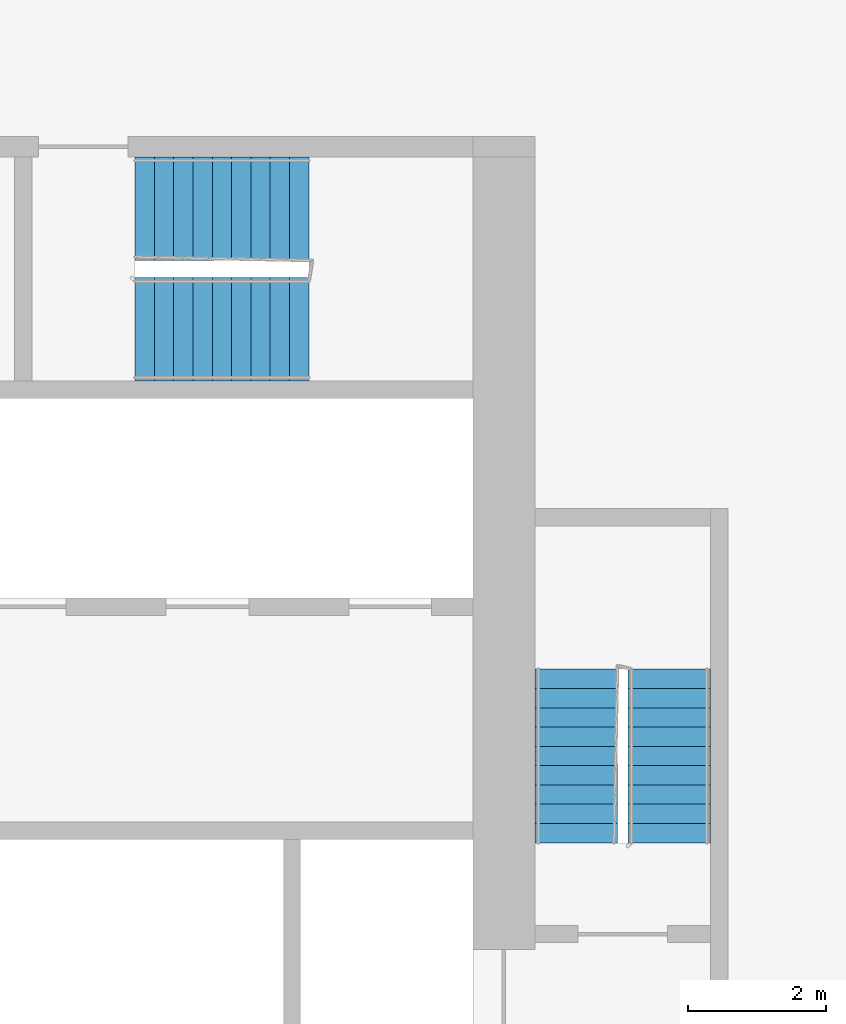
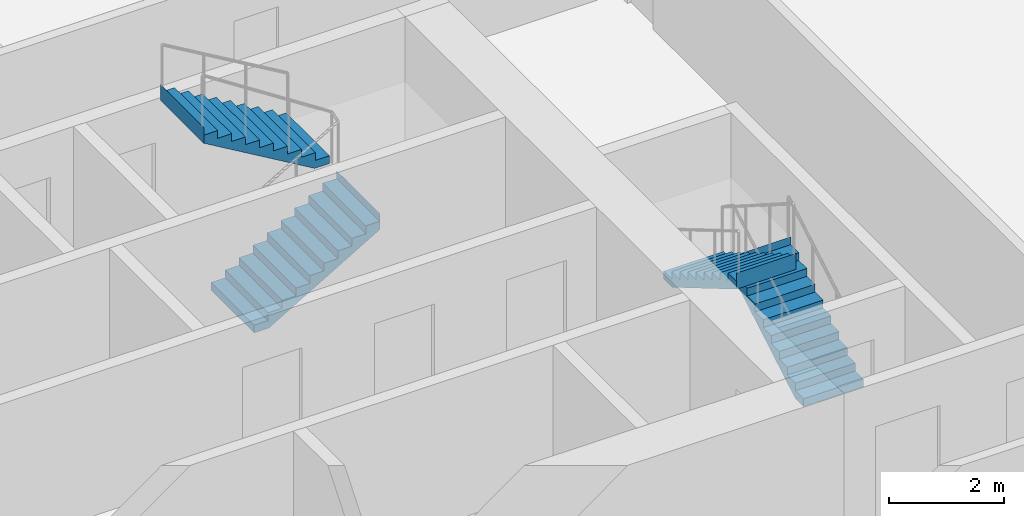
# One storey, part 11 of 12: 4 stair flights, 2 elements without a shape of their own.
"""IFC4 building model written with IfcOpenShell, lengths in metres."""

from ifc_helpers import new_model, si_unit, direction, frame, origin, place, context, subcontext, project, spatial, faceted_brep, material, type_object, element, aggregate, save


model = new_model("IFC4")

# Units and contexts
model_context = context("Model", 3, precision=1e-05, world=origin(), true_north=direction((0.0, 1.0)))
body_context = subcontext(model_context, "Body", "Model", "MODEL_VIEW")
ifc_project = project(units=[si_unit("LENGTHUNIT", "METRE"), si_unit("AREAUNIT", "SQUARE_METRE"), si_unit("VOLUMEUNIT", "CUBIC_METRE"), si_unit("PLANEANGLEUNIT", "RADIAN"), si_unit("MASSUNIT", "GRAM", prefix="KILO")], contexts=[model_context])

# Site, building, storey
site_placement = place(None, origin())
site = spatial("IfcSite", under=ifc_project, at=site_placement, CompositionType="ELEMENT")
building_placement = place(site_placement, origin())
building = spatial("IfcBuilding", under=site, at=building_placement, Name="Kajstack Hotel Tower", CompositionType="ELEMENT")
storey_placement = place(building_placement, frame((0.0, 0.0, 117.39990234375)))
storey = spatial("IfcBuildingStorey", under=building, at=storey_placement, Name="L25", CompositionType="ELEMENT", Elevation=117.39990234375)

# Stair, stair flights
ifc_material = material(Name="Concrete C40/50", Category="concrete")
stair_type_1 = type_object("IfcStairType", Name="Exit stair 1200", PredefinedType="HALF_TURN_STAIR", material=ifc_material)
stair_1_placement = place(storey_placement, origin())
stair_1 = element("IfcStair", 1, at=stair_1_placement, inside=storey, type_object=stair_type_1, Name="L25 stair E1", PredefinedType="HALF_TURN_STAIR")
stair_flight_type_1 = type_object("IfcStairFlightType", Name="Exit stair flight 1200", PredefinedType="STRAIGHT", material=ifc_material)
stair_flight_1_placement = place(storey_placement, frame((33.449951171875, 5.25, 0.0), z_axis=(0.0, 0.0, 1.0), x_axis=(0.0, 1.0, 0.0)))
stair_flight_1 = element("IfcStairFlight", 2, at=stair_flight_1_placement, type_object=stair_flight_type_1, Name="E1 flight 1", NumberOfRisers=10, NumberOfTreads=9, PredefinedType="STRAIGHT", RiserHeight=0.165, TreadLength=0.28, context=body_context, shape_type="Brep", body=[
    faceted_brep([(0.295654296875, -0.60009765625, 0.0), (2.5205078125, -0.60009765625, 1.31103515625), (2.5205078125, -0.60009765625, 1.64990234375), (2.52001953125, -0.60009765625, 1.64990234375), (2.52001953125, -0.60009765625, 1.485107421875), (2.239990234375, -0.60009765625, 1.485107421875), (2.239990234375, -0.60009765625, 1.320068359375), (1.9599609375, -0.60009765625, 1.320068359375), (1.9599609375, -0.60009765625, 1.155029296875), (1.679931640625, -0.60009765625, 1.155029296875), (1.679931640625, -0.60009765625, 0.989990234375), (1.39990234375, -0.60009765625, 0.989990234375), (1.39990234375, -0.60009765625, 0.824951171875), (1.1201171875, -0.60009765625, 0.824951171875), (1.1201171875, -0.60009765625, 0.659912109375), (0.840087890625, -0.60009765625, 0.659912109375), (0.840087890625, -0.60009765625, 0.4951171875), (0.56005859375, -0.60009765625, 0.4951171875), (0.56005859375, -0.60009765625, 0.330078125), (0.280029296875, -0.60009765625, 0.330078125), (0.280029296875, -0.60009765625, 0.1650390625), (-0.00048828125, -0.60009765625, 0.1650390625), (-0.00048828125, -0.60009765625, 0.0), (-0.00048828125, 0.60009765625, 0.0), (-0.00048828125, 0.60009765625, 0.1650390625), (0.280029296875, 0.60009765625, 0.1650390625), (0.280029296875, 0.60009765625, 0.330078125), (0.56005859375, 0.60009765625, 0.330078125), (0.56005859375, 0.60009765625, 0.4951171875), (0.840087890625, 0.60009765625, 0.4951171875), (0.840087890625, 0.60009765625, 0.659912109375), (1.1201171875, 0.60009765625, 0.659912109375), (1.1201171875, 0.60009765625, 0.824951171875), (1.39990234375, 0.60009765625, 0.824951171875), (1.39990234375, 0.60009765625, 0.989990234375), (1.679931640625, 0.60009765625, 0.989990234375), (1.679931640625, 0.60009765625, 1.155029296875), (1.9599609375, 0.60009765625, 1.155029296875), (1.9599609375, 0.60009765625, 1.320068359375), (2.239990234375, 0.60009765625, 1.320068359375), (2.239990234375, 0.60009765625, 1.485107421875), (2.52001953125, 0.60009765625, 1.485107421875), (2.52001953125, 0.60009765625, 1.64990234375), (2.5205078125, 0.60009765625, 1.64990234375), (2.5205078125, 0.60009765625, 1.31103515625), (0.295654296875, 0.60009765625, 0.0), (-0.00048828125, -0.300048828125, 0.1650390625), (-0.00048828125, 0.0, 0.1650390625), (-0.00048828125, 0.300048828125, 0.1650390625), (-0.00048828125, 0.300048828125, 0.0), (-0.00048828125, 0.0, 0.0), (-0.00048828125, -0.300048828125, 0.0), (0.280029296875, -0.300048828125, 0.1650390625), (0.280029296875, 0.0, 0.1650390625), (0.280029296875, 0.300048828125, 0.1650390625), (0.280029296875, -0.300048828125, 0.330078125), (0.280029296875, 0.0, 0.330078125), (0.280029296875, 0.300048828125, 0.330078125), (0.56005859375, -0.300048828125, 0.330078125), (0.56005859375, 0.0, 0.330078125), (0.56005859375, 0.300048828125, 0.330078125), (0.56005859375, -0.300048828125, 0.4951171875), (0.56005859375, 0.0, 0.4951171875), (0.56005859375, 0.300048828125, 0.4951171875), (0.840087890625, -0.300048828125, 0.4951171875), (0.840087890625, 0.0, 0.4951171875), (0.840087890625, 0.300048828125, 0.4951171875), (0.840087890625, -0.300048828125, 0.659912109375), (0.840087890625, 0.0, 0.659912109375), (0.840087890625, 0.300048828125, 0.659912109375), (1.1201171875, -0.300048828125, 0.659912109375), (1.1201171875, 0.0, 0.659912109375), (1.1201171875, 0.300048828125, 0.659912109375), (1.1201171875, -0.300048828125, 0.824951171875), (1.1201171875, 0.0, 0.824951171875), (1.1201171875, 0.300048828125, 0.824951171875), (1.39990234375, -0.300048828125, 0.824951171875), (1.39990234375, 0.0, 0.824951171875), (1.39990234375, 0.300048828125, 0.824951171875), (1.39990234375, -0.300048828125, 0.989990234375), (1.39990234375, 0.0, 0.989990234375), (1.39990234375, 0.300048828125, 0.989990234375), (1.679931640625, -0.300048828125, 0.989990234375), (1.679931640625, 0.0, 0.989990234375), (1.679931640625, 0.300048828125, 0.989990234375), (1.679931640625, -0.300048828125, 1.155029296875), (1.679931640625, 0.0, 1.155029296875), (1.679931640625, 0.300048828125, 1.155029296875), (1.9599609375, -0.300048828125, 1.155029296875), (1.9599609375, 0.0, 1.155029296875), (1.9599609375, 0.300048828125, 1.155029296875), (1.9599609375, -0.300048828125, 1.320068359375), (1.9599609375, 0.0, 1.320068359375), (1.9599609375, 0.300048828125, 1.320068359375), (2.239990234375, -0.300048828125, 1.320068359375), (2.239990234375, 0.0, 1.320068359375), (2.239990234375, 0.300048828125, 1.320068359375), (2.239990234375, -0.300048828125, 1.485107421875), (2.239990234375, 0.0, 1.485107421875), (2.239990234375, 0.300048828125, 1.485107421875), (2.52001953125, -0.300048828125, 1.485107421875), (2.52001953125, 0.0, 1.485107421875), (2.52001953125, 0.300048828125, 1.485107421875), (2.52001953125, -0.300048828125, 1.64990234375), (2.52001953125, 0.0, 1.64990234375), (2.52001953125, 0.300048828125, 1.64990234375), (2.5205078125, -0.300048828125, 1.64990234375), (2.5205078125, 0.0, 1.64990234375), (2.5205078125, 0.300048828125, 1.64990234375), (2.5205078125, -0.300048828125, 1.31103515625), (2.5205078125, 0.0, 1.31103515625), (2.5205078125, 0.300048828125, 1.31103515625), (0.295654296875, -0.300048828125, 0.0), (0.295654296875, 0.0, 0.0), (0.295654296875, 0.300048828125, 0.0)], [[[0, 1, 2, 3, 4, 5, 6, 7, 8, 9, 10, 11, 12, 13, 14, 15, 16, 17, 18, 19, 20, 21, 22]], [[23, 24, 25, 26, 27, 28, 29, 30, 31, 32, 33, 34, 35, 36, 37, 38, 39, 40, 41, 42, 43, 44, 45]], [[21, 46, 47, 48, 24, 23, 49, 50, 51, 22]], [[20, 52, 53, 54, 25, 24, 48, 47, 46, 21]], [[19, 55, 56, 57, 26, 25, 54, 53, 52, 20]], [[18, 58, 59, 60, 27, 26, 57, 56, 55, 19]], [[17, 61, 62, 63, 28, 27, 60, 59, 58, 18]], [[16, 64, 65, 66, 29, 28, 63, 62, 61, 17]], [[15, 67, 68, 69, 30, 29, 66, 65, 64, 16]], [[14, 70, 71, 72, 31, 30, 69, 68, 67, 15]], [[13, 73, 74, 75, 32, 31, 72, 71, 70, 14]], [[12, 76, 77, 78, 33, 32, 75, 74, 73, 13]], [[11, 79, 80, 81, 34, 33, 78, 77, 76, 12]], [[10, 82, 83, 84, 35, 34, 81, 80, 79, 11]], [[9, 85, 86, 87, 36, 35, 84, 83, 82, 10]], [[8, 88, 89, 90, 37, 36, 87, 86, 85, 9]], [[7, 91, 92, 93, 38, 37, 90, 89, 88, 8]], [[6, 94, 95, 96, 39, 38, 93, 92, 91, 7]], [[5, 97, 98, 99, 40, 39, 96, 95, 94, 6]], [[4, 100, 101, 102, 41, 40, 99, 98, 97, 5]], [[3, 103, 104, 105, 42, 41, 102, 101, 100, 4]], [[2, 106, 107, 108, 43, 42, 105, 104, 103, 3]], [[1, 109, 110, 111, 44, 43, 108, 107, 106, 2]], [[0, 112, 113, 114, 45, 44, 111, 110, 109, 1]], [[22, 51, 50, 49, 23, 45, 114, 113, 112, 0]]]),
])
stair_flight_2_placement = place(storey_placement, frame((32.10009765625, 7.77001953125, 1.650146484375), z_axis=(0.0, 0.0, 1.0), x_axis=(0.0, -1.0, 0.0)))
stair_flight_2 = element("IfcStairFlight", 3, at=stair_flight_2_placement, type_object=stair_flight_type_1, Name="E1 flight 2", NumberOfRisers=10, NumberOfTreads=9, PredefinedType="STRAIGHT", RiserHeight=0.165, TreadLength=0.28, context=body_context, shape_type="Brep", body=[
    faceted_brep([(0.295654296875, -0.60009765625, 0.0), (2.5205078125, -0.60009765625, 1.31103515625), (2.5205078125, -0.60009765625, 1.64990234375), (2.52001953125, -0.60009765625, 1.64990234375), (2.52001953125, -0.60009765625, 1.485107421875), (2.239990234375, -0.60009765625, 1.485107421875), (2.239990234375, -0.60009765625, 1.320068359375), (1.9599609375, -0.60009765625, 1.320068359375), (1.9599609375, -0.60009765625, 1.155029296875), (1.679931640625, -0.60009765625, 1.155029296875), (1.679931640625, -0.60009765625, 0.989990234375), (1.39990234375, -0.60009765625, 0.989990234375), (1.39990234375, -0.60009765625, 0.824951171875), (1.1201171875, -0.60009765625, 0.824951171875), (1.1201171875, -0.60009765625, 0.659912109375), (0.840087890625, -0.60009765625, 0.659912109375), (0.840087890625, -0.60009765625, 0.4951171875), (0.56005859375, -0.60009765625, 0.4951171875), (0.56005859375, -0.60009765625, 0.330078125), (0.280029296875, -0.60009765625, 0.330078125), (0.280029296875, -0.60009765625, 0.1650390625), (-0.00048828125, -0.60009765625, 0.1650390625), (-0.00048828125, -0.60009765625, 0.0), (-0.00048828125, 0.60009765625, 0.0), (-0.00048828125, 0.60009765625, 0.1650390625), (0.280029296875, 0.60009765625, 0.1650390625), (0.280029296875, 0.60009765625, 0.330078125), (0.56005859375, 0.60009765625, 0.330078125), (0.56005859375, 0.60009765625, 0.4951171875), (0.840087890625, 0.60009765625, 0.4951171875), (0.840087890625, 0.60009765625, 0.659912109375), (1.1201171875, 0.60009765625, 0.659912109375), (1.1201171875, 0.60009765625, 0.824951171875), (1.39990234375, 0.60009765625, 0.824951171875), (1.39990234375, 0.60009765625, 0.989990234375), (1.679931640625, 0.60009765625, 0.989990234375), (1.679931640625, 0.60009765625, 1.155029296875), (1.9599609375, 0.60009765625, 1.155029296875), (1.9599609375, 0.60009765625, 1.320068359375), (2.239990234375, 0.60009765625, 1.320068359375), (2.239990234375, 0.60009765625, 1.485107421875), (2.52001953125, 0.60009765625, 1.485107421875), (2.52001953125, 0.60009765625, 1.64990234375), (2.5205078125, 0.60009765625, 1.64990234375), (2.5205078125, 0.60009765625, 1.31103515625), (0.295654296875, 0.60009765625, 0.0), (-0.00048828125, -0.300048828125, 0.1650390625), (-0.00048828125, 0.0, 0.1650390625), (-0.00048828125, 0.300048828125, 0.1650390625), (-0.00048828125, 0.300048828125, 0.0), (-0.00048828125, 0.0, 0.0), (-0.00048828125, -0.300048828125, 0.0), (0.280029296875, -0.300048828125, 0.1650390625), (0.280029296875, 0.0, 0.1650390625), (0.280029296875, 0.300048828125, 0.1650390625), (0.280029296875, -0.300048828125, 0.330078125), (0.280029296875, 0.0, 0.330078125), (0.280029296875, 0.300048828125, 0.330078125), (0.56005859375, -0.300048828125, 0.330078125), (0.56005859375, 0.0, 0.330078125), (0.56005859375, 0.300048828125, 0.330078125), (0.56005859375, -0.300048828125, 0.4951171875), (0.56005859375, 0.0, 0.4951171875), (0.56005859375, 0.300048828125, 0.4951171875), (0.840087890625, -0.300048828125, 0.4951171875), (0.840087890625, 0.0, 0.4951171875), (0.840087890625, 0.300048828125, 0.4951171875), (0.840087890625, -0.300048828125, 0.659912109375), (0.840087890625, 0.0, 0.659912109375), (0.840087890625, 0.300048828125, 0.659912109375), (1.1201171875, -0.300048828125, 0.659912109375), (1.1201171875, 0.0, 0.659912109375), (1.1201171875, 0.300048828125, 0.659912109375), (1.1201171875, -0.300048828125, 0.824951171875), (1.1201171875, 0.0, 0.824951171875), (1.1201171875, 0.300048828125, 0.824951171875), (1.39990234375, -0.300048828125, 0.824951171875), (1.39990234375, 0.0, 0.824951171875), (1.39990234375, 0.300048828125, 0.824951171875), (1.39990234375, -0.300048828125, 0.989990234375), (1.39990234375, 0.0, 0.989990234375), (1.39990234375, 0.300048828125, 0.989990234375), (1.679931640625, -0.300048828125, 0.989990234375), (1.679931640625, 0.0, 0.989990234375), (1.679931640625, 0.300048828125, 0.989990234375), (1.679931640625, -0.300048828125, 1.155029296875), (1.679931640625, 0.0, 1.155029296875), (1.679931640625, 0.300048828125, 1.155029296875), (1.9599609375, -0.300048828125, 1.155029296875), (1.9599609375, 0.0, 1.155029296875), (1.9599609375, 0.300048828125, 1.155029296875), (1.9599609375, -0.300048828125, 1.320068359375), (1.9599609375, 0.0, 1.320068359375), (1.9599609375, 0.300048828125, 1.320068359375), (2.239990234375, -0.300048828125, 1.320068359375), (2.239990234375, 0.0, 1.320068359375), (2.239990234375, 0.300048828125, 1.320068359375), (2.239990234375, -0.300048828125, 1.485107421875), (2.239990234375, 0.0, 1.485107421875), (2.239990234375, 0.300048828125, 1.485107421875), (2.52001953125, -0.300048828125, 1.485107421875), (2.52001953125, 0.0, 1.485107421875), (2.52001953125, 0.300048828125, 1.485107421875), (2.52001953125, -0.300048828125, 1.64990234375), (2.52001953125, 0.0, 1.64990234375), (2.52001953125, 0.300048828125, 1.64990234375), (2.5205078125, -0.300048828125, 1.64990234375), (2.5205078125, 0.0, 1.64990234375), (2.5205078125, 0.300048828125, 1.64990234375), (2.5205078125, -0.300048828125, 1.31103515625), (2.5205078125, 0.0, 1.31103515625), (2.5205078125, 0.300048828125, 1.31103515625), (0.295654296875, -0.300048828125, 0.0), (0.295654296875, 0.0, 0.0), (0.295654296875, 0.300048828125, 0.0)], [[[0, 1, 2, 3, 4, 5, 6, 7, 8, 9, 10, 11, 12, 13, 14, 15, 16, 17, 18, 19, 20, 21, 22]], [[23, 24, 25, 26, 27, 28, 29, 30, 31, 32, 33, 34, 35, 36, 37, 38, 39, 40, 41, 42, 43, 44, 45]], [[21, 46, 47, 48, 24, 23, 49, 50, 51, 22]], [[20, 52, 53, 54, 25, 24, 48, 47, 46, 21]], [[19, 55, 56, 57, 26, 25, 54, 53, 52, 20]], [[18, 58, 59, 60, 27, 26, 57, 56, 55, 19]], [[17, 61, 62, 63, 28, 27, 60, 59, 58, 18]], [[16, 64, 65, 66, 29, 28, 63, 62, 61, 17]], [[15, 67, 68, 69, 30, 29, 66, 65, 64, 16]], [[14, 70, 71, 72, 31, 30, 69, 68, 67, 15]], [[13, 73, 74, 75, 32, 31, 72, 71, 70, 14]], [[12, 76, 77, 78, 33, 32, 75, 74, 73, 13]], [[11, 79, 80, 81, 34, 33, 78, 77, 76, 12]], [[10, 82, 83, 84, 35, 34, 81, 80, 79, 11]], [[9, 85, 86, 87, 36, 35, 84, 83, 82, 10]], [[8, 88, 89, 90, 37, 36, 87, 86, 85, 9]], [[7, 91, 92, 93, 38, 37, 90, 89, 88, 8]], [[6, 94, 95, 96, 39, 38, 93, 92, 91, 7]], [[5, 97, 98, 99, 40, 39, 96, 95, 94, 6]], [[4, 100, 101, 102, 41, 40, 99, 98, 97, 5]], [[3, 103, 104, 105, 42, 41, 102, 101, 100, 4]], [[2, 106, 107, 108, 43, 42, 105, 104, 103, 3]], [[1, 109, 110, 111, 44, 43, 108, 107, 106, 2]], [[0, 112, 113, 114, 45, 44, 111, 110, 109, 1]], [[22, 51, 50, 49, 23, 45, 114, 113, 112, 0]]]),
])
aggregate(stair_1, [stair_flight_1, stair_flight_2])

stair_type_2 = type_object("IfcStairType", Name="Exit stair 1500", PredefinedType="HALF_TURN_STAIR", material=ifc_material)
stair_2_placement = place(storey_placement, origin())
stair_2 = element("IfcStair", 4, at=stair_2_placement, inside=storey, type_object=stair_type_2, Name="L25 stair E3", PredefinedType="HALF_TURN_STAIR")
stair_flight_type_2 = type_object("IfcStairFlightType", Name="Exit stair flight 1500", PredefinedType="STRAIGHT", material=ifc_material)
stair_flight_3_placement = place(storey_placement, frame((25.699951171875, 12.699951171875, 0.0), z_axis=(0.0, 0.0, 1.0), x_axis=(1.0, 0.0, 0.0)))
stair_flight_3 = element("IfcStairFlight", 5, at=stair_flight_3_placement, type_object=stair_flight_type_2, Name="E3 flight 1", NumberOfRisers=10, NumberOfTreads=9, PredefinedType="STRAIGHT", RiserHeight=0.165, TreadLength=0.28, context=body_context, shape_type="Brep", body=[
    faceted_brep([(0.295654296875, -0.75, 0.0), (2.5205078125, -0.75, 1.31103515625), (2.5205078125, -0.75, 1.64990234375), (2.52001953125, -0.75, 1.64990234375), (2.52001953125, -0.75, 1.485107421875), (2.239990234375, -0.75, 1.485107421875), (2.239990234375, -0.75, 1.320068359375), (1.9599609375, -0.75, 1.320068359375), (1.9599609375, -0.75, 1.155029296875), (1.679931640625, -0.75, 1.155029296875), (1.679931640625, -0.75, 0.989990234375), (1.39990234375, -0.75, 0.989990234375), (1.39990234375, -0.75, 0.824951171875), (1.1201171875, -0.75, 0.824951171875), (1.1201171875, -0.75, 0.659912109375), (0.840087890625, -0.75, 0.659912109375), (0.840087890625, -0.75, 0.4951171875), (0.56005859375, -0.75, 0.4951171875), (0.56005859375, -0.75, 0.330078125), (0.280029296875, -0.75, 0.330078125), (0.280029296875, -0.75, 0.1650390625), (-0.00048828125, -0.75, 0.1650390625), (-0.00048828125, -0.75, 0.0), (-0.00048828125, 0.75, 0.0), (-0.00048828125, 0.75, 0.1650390625), (0.280029296875, 0.75, 0.1650390625), (0.280029296875, 0.75, 0.330078125), (0.56005859375, 0.75, 0.330078125), (0.56005859375, 0.75, 0.4951171875), (0.840087890625, 0.75, 0.4951171875), (0.840087890625, 0.75, 0.659912109375), (1.1201171875, 0.75, 0.659912109375), (1.1201171875, 0.75, 0.824951171875), (1.39990234375, 0.75, 0.824951171875), (1.39990234375, 0.75, 0.989990234375), (1.679931640625, 0.75, 0.989990234375), (1.679931640625, 0.75, 1.155029296875), (1.9599609375, 0.75, 1.155029296875), (1.9599609375, 0.75, 1.320068359375), (2.239990234375, 0.75, 1.320068359375), (2.239990234375, 0.75, 1.485107421875), (2.52001953125, 0.75, 1.485107421875), (2.52001953125, 0.75, 1.64990234375), (2.5205078125, 0.75, 1.64990234375), (2.5205078125, 0.75, 1.31103515625), (0.295654296875, 0.75, 0.0), (-0.00048828125, -0.375, 0.1650390625), (-0.00048828125, 0.0, 0.1650390625), (-0.00048828125, 0.375, 0.1650390625), (-0.00048828125, 0.375, 0.0), (-0.00048828125, 0.0, 0.0), (-0.00048828125, -0.375, 0.0), (0.280029296875, -0.375, 0.1650390625), (0.280029296875, 0.0, 0.1650390625), (0.280029296875, 0.375, 0.1650390625), (0.280029296875, -0.375, 0.330078125), (0.280029296875, 0.0, 0.330078125), (0.280029296875, 0.375, 0.330078125), (0.56005859375, -0.375, 0.330078125), (0.56005859375, 0.0, 0.330078125), (0.56005859375, 0.375, 0.330078125), (0.56005859375, -0.375, 0.4951171875), (0.56005859375, 0.0, 0.4951171875), (0.56005859375, 0.375, 0.4951171875), (0.840087890625, -0.375, 0.4951171875), (0.840087890625, 0.0, 0.4951171875), (0.840087890625, 0.375, 0.4951171875), (0.840087890625, -0.375, 0.659912109375), (0.840087890625, 0.0, 0.659912109375), (0.840087890625, 0.375, 0.659912109375), (1.1201171875, -0.375, 0.659912109375), (1.1201171875, 0.0, 0.659912109375), (1.1201171875, 0.375, 0.659912109375), (1.1201171875, -0.375, 0.824951171875), (1.1201171875, 0.0, 0.824951171875), (1.1201171875, 0.375, 0.824951171875), (1.39990234375, -0.375, 0.824951171875), (1.39990234375, 0.0, 0.824951171875), (1.39990234375, 0.375, 0.824951171875), (1.39990234375, -0.375, 0.989990234375), (1.39990234375, 0.0, 0.989990234375), (1.39990234375, 0.375, 0.989990234375), (1.679931640625, -0.375, 0.989990234375), (1.679931640625, 0.0, 0.989990234375), (1.679931640625, 0.375, 0.989990234375), (1.679931640625, -0.375, 1.155029296875), (1.679931640625, 0.0, 1.155029296875), (1.679931640625, 0.375, 1.155029296875), (1.9599609375, -0.375, 1.155029296875), (1.9599609375, 0.0, 1.155029296875), (1.9599609375, 0.375, 1.155029296875), (1.9599609375, -0.375, 1.320068359375), (1.9599609375, 0.0, 1.320068359375), (1.9599609375, 0.375, 1.320068359375), (2.239990234375, -0.375, 1.320068359375), (2.239990234375, 0.0, 1.320068359375), (2.239990234375, 0.375, 1.320068359375), (2.239990234375, -0.375, 1.485107421875), (2.239990234375, 0.0, 1.485107421875), (2.239990234375, 0.375, 1.485107421875), (2.52001953125, -0.375, 1.485107421875), (2.52001953125, 0.0, 1.485107421875), (2.52001953125, 0.375, 1.485107421875), (2.52001953125, -0.375, 1.64990234375), (2.52001953125, 0.0, 1.64990234375), (2.52001953125, 0.375, 1.64990234375), (2.5205078125, -0.375, 1.64990234375), (2.5205078125, 0.0, 1.64990234375), (2.5205078125, 0.375, 1.64990234375), (2.5205078125, -0.375, 1.31103515625), (2.5205078125, 0.0, 1.31103515625), (2.5205078125, 0.375, 1.31103515625), (0.295654296875, -0.375, 0.0), (0.295654296875, 0.0, 0.0), (0.295654296875, 0.375, 0.0)], [[[0, 1, 2, 3, 4, 5, 6, 7, 8, 9, 10, 11, 12, 13, 14, 15, 16, 17, 18, 19, 20, 21, 22]], [[23, 24, 25, 26, 27, 28, 29, 30, 31, 32, 33, 34, 35, 36, 37, 38, 39, 40, 41, 42, 43, 44, 45]], [[21, 46, 47, 48, 24, 23, 49, 50, 51, 22]], [[20, 52, 53, 54, 25, 24, 48, 47, 46, 21]], [[19, 55, 56, 57, 26, 25, 54, 53, 52, 20]], [[18, 58, 59, 60, 27, 26, 57, 56, 55, 19]], [[17, 61, 62, 63, 28, 27, 60, 59, 58, 18]], [[16, 64, 65, 66, 29, 28, 63, 62, 61, 17]], [[15, 67, 68, 69, 30, 29, 66, 65, 64, 16]], [[14, 70, 71, 72, 31, 30, 69, 68, 67, 15]], [[13, 73, 74, 75, 32, 31, 72, 71, 70, 14]], [[12, 76, 77, 78, 33, 32, 75, 74, 73, 13]], [[11, 79, 80, 81, 34, 33, 78, 77, 76, 12]], [[10, 82, 83, 84, 35, 34, 81, 80, 79, 11]], [[9, 85, 86, 87, 36, 35, 84, 83, 82, 10]], [[8, 88, 89, 90, 37, 36, 87, 86, 85, 9]], [[7, 91, 92, 93, 38, 37, 90, 89, 88, 8]], [[6, 94, 95, 96, 39, 38, 93, 92, 91, 7]], [[5, 97, 98, 99, 40, 39, 96, 95, 94, 6]], [[4, 100, 101, 102, 41, 40, 99, 98, 97, 5]], [[3, 103, 104, 105, 42, 41, 102, 101, 100, 4]], [[2, 106, 107, 108, 43, 42, 105, 104, 103, 3]], [[1, 109, 110, 111, 44, 43, 108, 107, 106, 2]], [[0, 112, 113, 114, 45, 44, 111, 110, 109, 1]], [[22, 51, 50, 49, 23, 45, 114, 113, 112, 0]]]),
])
stair_flight_4_placement = place(storey_placement, frame((28.219970703125, 14.449951171875, 1.650146484375), z_axis=(0.0, 0.0, 1.0), x_axis=(-1.0, 0.0, 0.0)))
stair_flight_4 = element("IfcStairFlight", 6, at=stair_flight_4_placement, type_object=stair_flight_type_2, Name="E3 flight 2", NumberOfRisers=10, NumberOfTreads=9, PredefinedType="STRAIGHT", RiserHeight=0.165, TreadLength=0.28, context=body_context, shape_type="Brep", body=[
    faceted_brep([(0.295654296875, -0.75, 0.0), (2.5205078125, -0.75, 1.31103515625), (2.5205078125, -0.75, 1.64990234375), (2.52001953125, -0.75, 1.64990234375), (2.52001953125, -0.75, 1.485107421875), (2.239990234375, -0.75, 1.485107421875), (2.239990234375, -0.75, 1.320068359375), (1.9599609375, -0.75, 1.320068359375), (1.9599609375, -0.75, 1.155029296875), (1.679931640625, -0.75, 1.155029296875), (1.679931640625, -0.75, 0.989990234375), (1.39990234375, -0.75, 0.989990234375), (1.39990234375, -0.75, 0.824951171875), (1.1201171875, -0.75, 0.824951171875), (1.1201171875, -0.75, 0.659912109375), (0.840087890625, -0.75, 0.659912109375), (0.840087890625, -0.75, 0.4951171875), (0.56005859375, -0.75, 0.4951171875), (0.56005859375, -0.75, 0.330078125), (0.280029296875, -0.75, 0.330078125), (0.280029296875, -0.75, 0.1650390625), (-0.00048828125, -0.75, 0.1650390625), (-0.00048828125, -0.75, 0.0), (-0.00048828125, 0.75, 0.0), (-0.00048828125, 0.75, 0.1650390625), (0.280029296875, 0.75, 0.1650390625), (0.280029296875, 0.75, 0.330078125), (0.56005859375, 0.75, 0.330078125), (0.56005859375, 0.75, 0.4951171875), (0.840087890625, 0.75, 0.4951171875), (0.840087890625, 0.75, 0.659912109375), (1.1201171875, 0.75, 0.659912109375), (1.1201171875, 0.75, 0.824951171875), (1.39990234375, 0.75, 0.824951171875), (1.39990234375, 0.75, 0.989990234375), (1.679931640625, 0.75, 0.989990234375), (1.679931640625, 0.75, 1.155029296875), (1.9599609375, 0.75, 1.155029296875), (1.9599609375, 0.75, 1.320068359375), (2.239990234375, 0.75, 1.320068359375), (2.239990234375, 0.75, 1.485107421875), (2.52001953125, 0.75, 1.485107421875), (2.52001953125, 0.75, 1.64990234375), (2.5205078125, 0.75, 1.64990234375), (2.5205078125, 0.75, 1.31103515625), (0.295654296875, 0.75, 0.0), (-0.00048828125, -0.375, 0.1650390625), (-0.00048828125, 0.0, 0.1650390625), (-0.00048828125, 0.375, 0.1650390625), (-0.00048828125, 0.375, 0.0), (-0.00048828125, 0.0, 0.0), (-0.00048828125, -0.375, 0.0), (0.280029296875, -0.375, 0.1650390625), (0.280029296875, 0.0, 0.1650390625), (0.280029296875, 0.375, 0.1650390625), (0.280029296875, -0.375, 0.330078125), (0.280029296875, 0.0, 0.330078125), (0.280029296875, 0.375, 0.330078125), (0.56005859375, -0.375, 0.330078125), (0.56005859375, 0.0, 0.330078125), (0.56005859375, 0.375, 0.330078125), (0.56005859375, -0.375, 0.4951171875), (0.56005859375, 0.0, 0.4951171875), (0.56005859375, 0.375, 0.4951171875), (0.840087890625, -0.375, 0.4951171875), (0.840087890625, 0.0, 0.4951171875), (0.840087890625, 0.375, 0.4951171875), (0.840087890625, -0.375, 0.659912109375), (0.840087890625, 0.0, 0.659912109375), (0.840087890625, 0.375, 0.659912109375), (1.1201171875, -0.375, 0.659912109375), (1.1201171875, 0.0, 0.659912109375), (1.1201171875, 0.375, 0.659912109375), (1.1201171875, -0.375, 0.824951171875), (1.1201171875, 0.0, 0.824951171875), (1.1201171875, 0.375, 0.824951171875), (1.39990234375, -0.375, 0.824951171875), (1.39990234375, 0.0, 0.824951171875), (1.39990234375, 0.375, 0.824951171875), (1.39990234375, -0.375, 0.989990234375), (1.39990234375, 0.0, 0.989990234375), (1.39990234375, 0.375, 0.989990234375), (1.679931640625, -0.375, 0.989990234375), (1.679931640625, 0.0, 0.989990234375), (1.679931640625, 0.375, 0.989990234375), (1.679931640625, -0.375, 1.155029296875), (1.679931640625, 0.0, 1.155029296875), (1.679931640625, 0.375, 1.155029296875), (1.9599609375, -0.375, 1.155029296875), (1.9599609375, 0.0, 1.155029296875), (1.9599609375, 0.375, 1.155029296875), (1.9599609375, -0.375, 1.320068359375), (1.9599609375, 0.0, 1.320068359375), (1.9599609375, 0.375, 1.320068359375), (2.239990234375, -0.375, 1.320068359375), (2.239990234375, 0.0, 1.320068359375), (2.239990234375, 0.375, 1.320068359375), (2.239990234375, -0.375, 1.485107421875), (2.239990234375, 0.0, 1.485107421875), (2.239990234375, 0.375, 1.485107421875), (2.52001953125, -0.375, 1.485107421875), (2.52001953125, 0.0, 1.485107421875), (2.52001953125, 0.375, 1.485107421875), (2.52001953125, -0.375, 1.64990234375), (2.52001953125, 0.0, 1.64990234375), (2.52001953125, 0.375, 1.64990234375), (2.5205078125, -0.375, 1.64990234375), (2.5205078125, 0.0, 1.64990234375), (2.5205078125, 0.375, 1.64990234375), (2.5205078125, -0.375, 1.31103515625), (2.5205078125, 0.0, 1.31103515625), (2.5205078125, 0.375, 1.31103515625), (0.295654296875, -0.375, 0.0), (0.295654296875, 0.0, 0.0), (0.295654296875, 0.375, 0.0)], [[[0, 1, 2, 3, 4, 5, 6, 7, 8, 9, 10, 11, 12, 13, 14, 15, 16, 17, 18, 19, 20, 21, 22]], [[23, 24, 25, 26, 27, 28, 29, 30, 31, 32, 33, 34, 35, 36, 37, 38, 39, 40, 41, 42, 43, 44, 45]], [[21, 46, 47, 48, 24, 23, 49, 50, 51, 22]], [[20, 52, 53, 54, 25, 24, 48, 47, 46, 21]], [[19, 55, 56, 57, 26, 25, 54, 53, 52, 20]], [[18, 58, 59, 60, 27, 26, 57, 56, 55, 19]], [[17, 61, 62, 63, 28, 27, 60, 59, 58, 18]], [[16, 64, 65, 66, 29, 28, 63, 62, 61, 17]], [[15, 67, 68, 69, 30, 29, 66, 65, 64, 16]], [[14, 70, 71, 72, 31, 30, 69, 68, 67, 15]], [[13, 73, 74, 75, 32, 31, 72, 71, 70, 14]], [[12, 76, 77, 78, 33, 32, 75, 74, 73, 13]], [[11, 79, 80, 81, 34, 33, 78, 77, 76, 12]], [[10, 82, 83, 84, 35, 34, 81, 80, 79, 11]], [[9, 85, 86, 87, 36, 35, 84, 83, 82, 10]], [[8, 88, 89, 90, 37, 36, 87, 86, 85, 9]], [[7, 91, 92, 93, 38, 37, 90, 89, 88, 8]], [[6, 94, 95, 96, 39, 38, 93, 92, 91, 7]], [[5, 97, 98, 99, 40, 39, 96, 95, 94, 6]], [[4, 100, 101, 102, 41, 40, 99, 98, 97, 5]], [[3, 103, 104, 105, 42, 41, 102, 101, 100, 4]], [[2, 106, 107, 108, 43, 42, 105, 104, 103, 3]], [[1, 109, 110, 111, 44, 43, 108, 107, 106, 2]], [[0, 112, 113, 114, 45, 44, 111, 110, 109, 1]], [[22, 51, 50, 49, 23, 45, 114, 113, 112, 0]]]),
])
aggregate(stair_2, [stair_flight_3, stair_flight_4])

save(model, "model.ifc")
